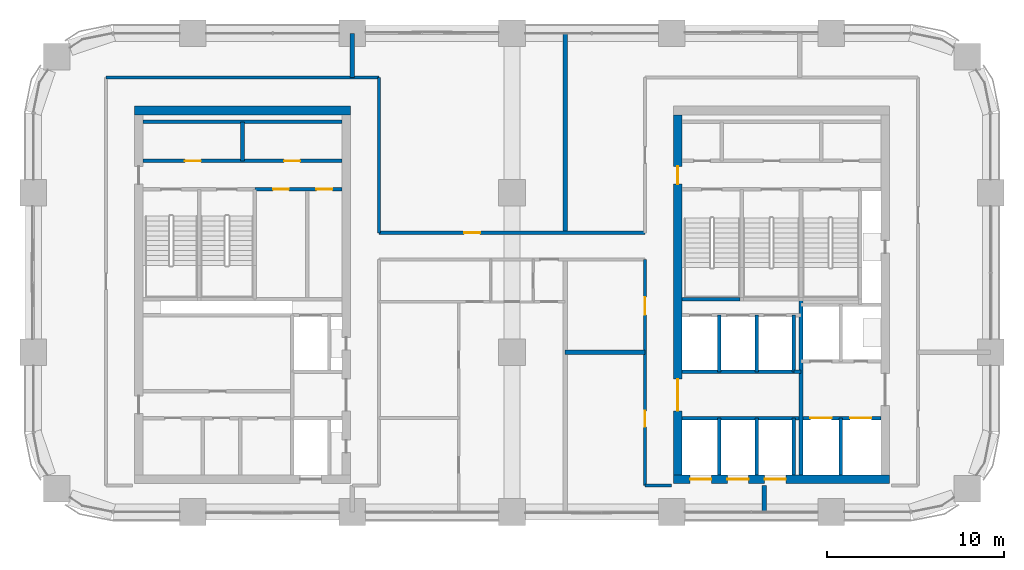
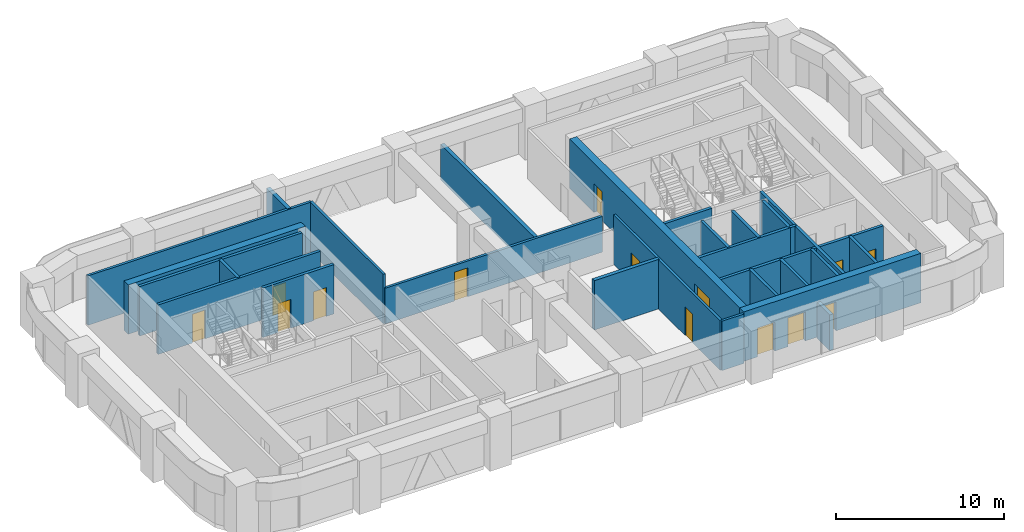
# One storey, part 9 of 18: 28 walls, 14 doors, 14 openings.
"""IFC4 building model written with IfcOpenShell, lengths in metres."""

from ifc_helpers import new_model, si_unit, direction, frame, frame_2d, origin, place, context, subcontext, project, spatial, rectangle, extrude, material, layer, layer_set, type_object, element, fill, save


model = new_model("IFC4")

# Units and contexts
model_context = context("Model", 3, precision=1e-05, world=origin(), true_north=direction((0.0, 1.0)))
body_context = subcontext(model_context, "Body", "Model", "MODEL_VIEW")
ifc_project = project(units=[si_unit("LENGTHUNIT", "METRE"), si_unit("AREAUNIT", "SQUARE_METRE"), si_unit("VOLUMEUNIT", "CUBIC_METRE"), si_unit("PLANEANGLEUNIT", "RADIAN"), si_unit("MASSUNIT", "GRAM", prefix="KILO")], contexts=[model_context])

# Site, building, storey
site_placement = place(None, origin())
site = spatial("IfcSite", under=ifc_project, at=site_placement, CompositionType="ELEMENT")
building_placement = place(site_placement, origin())
building = spatial("IfcBuilding", under=site, at=building_placement, Name="Tessera Arch", CompositionType="ELEMENT")
storey_placement = place(building_placement, frame((0.0, 0.0, 154.39990234375)))
storey = spatial("IfcBuildingStorey", under=building, at=storey_placement, Name="L36", CompositionType="ELEMENT", Elevation=154.39990234375)

# Walls
ifc_material_1 = material(Name="Gypsum board on steel stud", Category="steel")
ifc_layer_1 = layer(ifc_material_1, 0.125)
ifc_layer_set_1 = layer_set([ifc_layer_1], Name="Core partition 125 EI 60")
wall_type_1 = type_object("IfcWallType", Name="Core partition 125 EI 60", PredefinedType="PARTITIONING", material=ifc_layer_set_1)
wall_1_placement = place(storey_placement, frame((42.89990234375, 34.89990234375, 0.0), z_axis=(0.0, 0.0, 1.0), x_axis=(1.0, 0.0, 0.0)))
element("IfcWall", 1, at=wall_1_placement, inside=storey, type_object=wall_type_1, Name="L36 C1 partition wall 20", PredefinedType="PARTITIONING", context=body_context, shape_type="SweptSolid", body=[
    extrude(rectangle(XDim=0.400146484375, YDim=0.199951171875, at=frame_2d((0.2001953125, 0.0))), origin(), (0.0, 0.0, 1.0), 3.60009765625),
])
wall_2_placement = place(storey_placement, frame((11.800048828125, 46.800048828125, 0.0), z_axis=(0.0, 0.0, 1.0), x_axis=(0.0, 1.0, 0.0)))
element("IfcWall", 2, at=wall_2_placement, inside=storey, type_object=wall_type_1, Name="L36 C2 partition wall 5", PredefinedType="PARTITIONING", context=body_context, shape_type="SweptSolid", body=[
    extrude(rectangle(XDim=2.199951171875, YDim=0.199951171875, at=frame_2d((1.10009765625, 0.0))), origin(), (0.0, 0.0, 1.0), 3.60009765625),
])

# Wall, openings, doors
wall_3_placement = place(storey_placement, frame((12.5, 45.199951171875, 0.0), z_axis=(0.0, 0.0, 1.0), x_axis=(1.0, 0.0, 0.0)))
wall_3 = element("IfcWall", 3, at=wall_3_placement, inside=storey, type_object=wall_type_1, Name="L36 C2 partition wall 23", PredefinedType="PARTITIONING", context=body_context, shape_type="SweptSolid", body=[
    extrude(rectangle(XDim=4.89990234375, YDim=0.199951171875, at=frame_2d((2.449951171875, 0.0))), origin(), (0.0, 0.0, 1.0), 3.60009765625),
])
opening_1_placement = place(wall_3_placement, frame((1.02001953125, 0.0, 0.0)))
opening_1 = element("IfcOpeningElement", 4, at=opening_1_placement, cuts=wall_3, Name="Opening L36-C32", PredefinedType="OPENING", context=body_context, shape_type="SweptSolid", body=[
    extrude(rectangle(XDim=0.89990234375, YDim=2.10009765625, at=frame_2d((0.449951171875, 1.050048828125))), frame((0.0, 0.10986328125, 0.0), z_axis=(0.0, -1.0, 0.0), x_axis=(1.0, 0.0, 0.0)), (0.0, 0.0, 1.0), 0.219970703125),
])
opening_2_placement = place(wall_3_placement, frame((3.469970703125, 0.0, 0.0)))
opening_2 = element("IfcOpeningElement", 5, at=opening_2_placement, cuts=wall_3, Name="Opening L36-C33", PredefinedType="OPENING", context=body_context, shape_type="SweptSolid", body=[
    extrude(rectangle(XDim=0.89990234375, YDim=2.10009765625, at=frame_2d((0.449951171875, 1.050048828125))), frame((0.0, 0.10986328125, 0.0), z_axis=(0.0, -1.0, 0.0), x_axis=(1.0, 0.0, 0.0)), (0.0, 0.0, 1.0), 0.219970703125),
])
ifc_material_2 = material(Name="Steel door leaf", Category="steel")
door_type_1 = type_object("IfcDoorType", Name="Store door FD30S 900 x 2100", OperationType="SINGLE_SWING_LEFT", PredefinedType="DOOR", material=ifc_material_2)
door_1_placement = place(opening_1_placement, origin())
door_1 = element("IfcDoor", 6, at=door_1_placement, inside=storey, type_object=door_type_1, Name="L36 C2 door 12 C32 type D09", OperationType="SINGLE_SWING_LEFT", OverallHeight=2.10009765625, OverallWidth=0.89990234375, PredefinedType="DOOR", context=body_context, shape_type="SweptSolid", body=[
    extrude(rectangle(XDim=0.89990234375, YDim=2.10009765625, at=frame_2d((0.449951171875, 1.050048828125))), frame((0.0, 0.02490234375, 0.0), z_axis=(0.0, -1.0, 0.0), x_axis=(1.0, 0.0, 0.0)), (0.0, 0.0, 1.0), 0.050048828125),
])
fill(opening_1, door_1)
door_2_placement = place(opening_2_placement, origin())
door_2 = element("IfcDoor", 7, at=door_2_placement, inside=storey, type_object=door_type_1, Name="L36 C2 door 13 C33 type D09", OperationType="SINGLE_SWING_RIGHT", OverallHeight=2.10009765625, OverallWidth=0.89990234375, PredefinedType="DOOR", context=body_context, shape_type="SweptSolid", body=[
    extrude(rectangle(XDim=0.89990234375, YDim=2.10009765625, at=frame_2d((0.449951171875, 1.050048828125))), frame((0.0, 0.02490234375, 0.0), z_axis=(0.0, -1.0, 0.0), x_axis=(1.0, 0.0, 0.0)), (0.0, 0.0, 1.0), 0.050048828125),
])
fill(opening_2, door_2)

wall_4_placement = place(storey_placement, frame((6.199951171875, 46.800048828125, 0.0), z_axis=(0.0, 0.0, 1.0), x_axis=(1.0, 0.0, 0.0)))
wall_4 = element("IfcWall", 8, at=wall_4_placement, inside=storey, type_object=wall_type_1, Name="L36 C2 partition wall 25", PredefinedType="PARTITIONING", context=body_context, shape_type="SweptSolid", body=[
    extrude(rectangle(XDim=11.199951171875, YDim=0.199951171875, at=frame_2d((5.60009765625, 0.0))), origin(), (0.0, 0.0, 1.0), 3.60009765625),
])
opening_3_placement = place(wall_4_placement, frame((2.35009765625, 0.0, 0.0)))
opening_3 = element("IfcOpeningElement", 9, at=opening_3_placement, cuts=wall_4, Name="Opening L36-C30", PredefinedType="OPENING", context=body_context, shape_type="SweptSolid", body=[
    extrude(rectangle(XDim=0.89990234375, YDim=2.10009765625, at=frame_2d((0.449951171875, 1.050048828125))), frame((0.0, 0.10986328125, 0.0), z_axis=(0.0, -1.0, 0.0), x_axis=(1.0, 0.0, 0.0)), (0.0, 0.0, 1.0), 0.219970703125),
])
opening_4_placement = place(wall_4_placement, frame((7.949951171875, 0.0, 0.0)))
opening_4 = element("IfcOpeningElement", 10, at=opening_4_placement, cuts=wall_4, Name="Opening L36-C31", PredefinedType="OPENING", context=body_context, shape_type="SweptSolid", body=[
    extrude(rectangle(XDim=0.89990234375, YDim=2.10009765625, at=frame_2d((0.449951171875, 1.050048828125))), frame((0.0, 0.10986328125, 0.0), z_axis=(0.0, -1.0, 0.0), x_axis=(1.0, 0.0, 0.0)), (0.0, 0.0, 1.0), 0.219970703125),
])
door_3_placement = place(opening_3_placement, origin())
door_3 = element("IfcDoor", 11, at=door_3_placement, inside=storey, type_object=door_type_1, Name="L36 C2 door 10 C30 type D09", OperationType="SINGLE_SWING_LEFT", OverallHeight=2.10009765625, OverallWidth=0.89990234375, PredefinedType="DOOR", context=body_context, shape_type="SweptSolid", body=[
    extrude(rectangle(XDim=0.89990234375, YDim=2.10009765625, at=frame_2d((0.449951171875, 1.050048828125))), frame((0.0, 0.02490234375, 0.0), z_axis=(0.0, -1.0, 0.0), x_axis=(1.0, 0.0, 0.0)), (0.0, 0.0, 1.0), 0.050048828125),
])
fill(opening_3, door_3)
door_4_placement = place(opening_4_placement, origin())
door_4 = element("IfcDoor", 12, at=door_4_placement, inside=storey, type_object=door_type_1, Name="L36 C2 door 11 C31 type D09", OperationType="SINGLE_SWING_RIGHT", OverallHeight=2.10009765625, OverallWidth=0.89990234375, PredefinedType="DOOR", context=body_context, shape_type="SweptSolid", body=[
    extrude(rectangle(XDim=0.89990234375, YDim=2.10009765625, at=frame_2d((0.449951171875, 1.050048828125))), frame((0.0, 0.02490234375, 0.0), z_axis=(0.0, -1.0, 0.0), x_axis=(1.0, 0.0, 0.0)), (0.0, 0.0, 1.0), 0.050048828125),
])
fill(opening_4, door_4)

# Wall
wall_5_placement = place(storey_placement, frame((6.199951171875, 49.0, 0.0), z_axis=(0.0, 0.0, 1.0), x_axis=(1.0, 0.0, 0.0)))
element("IfcWall", 13, at=wall_5_placement, inside=storey, type_object=wall_type_1, Name="L36 C2 partition wall 26", PredefinedType="PARTITIONING", context=body_context, shape_type="SweptSolid", body=[
    extrude(rectangle(XDim=11.199951171875, YDim=0.199951171875, at=frame_2d((5.60009765625, 0.0))), origin(), (0.0, 0.0, 1.0), 3.60009765625),
])

# Wall, openings, doors
ifc_material_3 = material(Name="Concrete C60/75", Category="concrete")
ifc_layer_2 = layer(ifc_material_3, 0.5)
ifc_layer_set_2 = layer_set([ifc_layer_2], Name="Core shell wall 500 C60-75")
wall_type_2 = type_object("IfcWallType", Name="Core shell wall 500 C60-75", PredefinedType="SHEAR", material=ifc_layer_set_2)
wall_6_placement = place(storey_placement, frame((36.10009765625, 28.85009765625, 0.0), z_axis=(0.0, 0.0, 1.0), x_axis=(1.0, 0.0, 0.0)))
wall_6 = element("IfcWall", 14, at=wall_6_placement, inside=storey, type_object=wall_type_2, Name="L36 C1 core wall S", PredefinedType="SHEAR", context=body_context, shape_type="SweptSolid", body=[
    extrude(rectangle(XDim=12.199951171875, YDim=0.5, at=frame_2d((6.10009765625, 0.0))), origin(), (0.0, 0.0, 1.0), 3.60009765625),
])
opening_5_placement = place(wall_6_placement, frame((0.949951171875, 0.0, 0.0)))
opening_5 = element("IfcOpeningElement", 15, at=opening_5_placement, cuts=wall_6, Name="Opening L36-C01", PredefinedType="OPENING", context=body_context, shape_type="SweptSolid", body=[
    extrude(rectangle(XDim=1.199951171875, YDim=2.10009765625, at=frame_2d((0.60009765625, 1.050048828125))), frame((0.0, 0.260009765625, 0.0), z_axis=(0.0, -1.0, 0.0), x_axis=(1.0, 0.0, 0.0)), (0.0, 0.0, 1.0), 0.52001953125),
])
opening_6_placement = place(wall_6_placement, frame((3.050048828125, 0.0, 0.0)))
opening_6 = element("IfcOpeningElement", 16, at=opening_6_placement, cuts=wall_6, Name="Opening L36-C03", PredefinedType="OPENING", context=body_context, shape_type="SweptSolid", body=[
    extrude(rectangle(XDim=1.199951171875, YDim=2.10009765625, at=frame_2d((0.60009765625, 1.050048828125))), frame((0.0, 0.260009765625, 0.0), z_axis=(0.0, -1.0, 0.0), x_axis=(1.0, 0.0, 0.0)), (0.0, 0.0, 1.0), 0.52001953125),
])
opening_7_placement = place(wall_6_placement, frame((5.14990234375, 0.0, 0.0)))
opening_7 = element("IfcOpeningElement", 17, at=opening_7_placement, cuts=wall_6, Name="Opening L36-C05", PredefinedType="OPENING", context=body_context, shape_type="SweptSolid", body=[
    extrude(rectangle(XDim=1.199951171875, YDim=2.10009765625, at=frame_2d((0.60009765625, 1.050048828125))), frame((0.0, 0.260009765625, 0.0), z_axis=(0.0, -1.0, 0.0), x_axis=(1.0, 0.0, 0.0)), (0.0, 0.0, 1.0), 0.52001953125),
])
ifc_material_4 = material(Name="Stainless steel AISI 304", Category="steel")
door_type_2 = type_object("IfcDoorType", Name="Sliding landing door 1200 x 2100", OperationType="SLIDING_TO_LEFT", PredefinedType="DOOR", material=ifc_material_4)
door_5_placement = place(opening_5_placement, origin())
door_5 = element("IfcDoor", 18, at=door_5_placement, inside=storey, type_object=door_type_2, Name="L36 HR1 lift landing door C01 type LD", OperationType="SLIDING_TO_LEFT", OverallHeight=2.10009765625, OverallWidth=1.199951171875, PredefinedType="DOOR", context=body_context, shape_type="SweptSolid", body=[
    extrude(rectangle(XDim=1.199951171875, YDim=2.10009765625, at=frame_2d((0.60009765625, 1.050048828125))), frame((0.0, 0.02490234375, 0.0), z_axis=(0.0, -1.0, 0.0), x_axis=(1.0, 0.0, 0.0)), (0.0, 0.0, 1.0), 0.050048828125),
])
fill(opening_5, door_5)
door_6_placement = place(opening_6_placement, origin())
door_6 = element("IfcDoor", 19, at=door_6_placement, inside=storey, type_object=door_type_2, Name="L36 HR2 lift landing door C03 type LD", OperationType="SLIDING_TO_LEFT", OverallHeight=2.10009765625, OverallWidth=1.199951171875, PredefinedType="DOOR", context=body_context, shape_type="SweptSolid", body=[
    extrude(rectangle(XDim=1.199951171875, YDim=2.10009765625, at=frame_2d((0.60009765625, 1.050048828125))), frame((0.0, 0.02490234375, 0.0), z_axis=(0.0, -1.0, 0.0), x_axis=(1.0, 0.0, 0.0)), (0.0, 0.0, 1.0), 0.050048828125),
])
fill(opening_6, door_6)
door_7_placement = place(opening_7_placement, origin())
door_7 = element("IfcDoor", 20, at=door_7_placement, inside=storey, type_object=door_type_2, Name="L36 HR3 lift landing door C05 type LD", OperationType="SLIDING_TO_LEFT", OverallHeight=2.10009765625, OverallWidth=1.199951171875, PredefinedType="DOOR", context=body_context, shape_type="SweptSolid", body=[
    extrude(rectangle(XDim=1.199951171875, YDim=2.10009765625, at=frame_2d((0.60009765625, 1.050048828125))), frame((0.0, 0.02490234375, 0.0), z_axis=(0.0, -1.0, 0.0), x_axis=(1.0, 0.0, 0.0)), (0.0, 0.0, 1.0), 0.050048828125),
])
fill(opening_7, door_7)

wall_7_placement = place(storey_placement, frame((36.35009765625, 29.10009765625, 0.0), z_axis=(0.0, 0.0, 1.0), x_axis=(0.0, 1.0, 0.0)))
wall_7 = element("IfcWall", 21, at=wall_7_placement, inside=storey, type_object=wall_type_2, Name="L36 C1 core wall W", PredefinedType="SHEAR", context=body_context, shape_type="SweptSolid", body=[
    extrude(rectangle(XDim=20.2998046875, YDim=0.5, at=frame_2d((10.14990234375, 0.0))), origin(), (0.0, 0.0, 1.0), 3.60009765625),
])
opening_8_placement = place(wall_7_placement, frame((3.60009765625, 0.0, 0.0)))
opening_8 = element("IfcOpeningElement", 22, at=opening_8_placement, cuts=wall_7, Name="Opening L36-C10", PredefinedType="OPENING", context=body_context, shape_type="SweptSolid", body=[
    extrude(rectangle(XDim=1.800048828125, YDim=2.10009765625, at=frame_2d((0.89990234375, 1.050048828125))), frame((0.0, 0.260009765625, 0.0), z_axis=(0.0, -1.0, 0.0), x_axis=(1.0, 0.0, 0.0)), (0.0, 0.0, 1.0), 0.52001953125),
])
opening_9_placement = place(wall_7_placement, frame((16.39990234375, 0.0, 0.0)))
opening_9 = element("IfcOpeningElement", 23, at=opening_9_placement, cuts=wall_7, Name="Opening L36-C17", PredefinedType="OPENING", context=body_context, shape_type="SweptSolid", body=[
    extrude(rectangle(XDim=1.0, YDim=2.10009765625, at=frame_2d((0.5, 1.050048828125))), frame((0.0, 0.260009765625, 0.0), z_axis=(0.0, -1.0, 0.0), x_axis=(1.0, 0.0, 0.0)), (0.0, 0.0, 1.0), 0.52001953125),
])
ifc_material_5 = material(Name="Steel door leaf", Category="steel")
door_type_3 = type_object("IfcDoorType", Name="Corridor door FD60 1000 x 2100", OperationType="SINGLE_SWING_LEFT", PredefinedType="DOOR", material=ifc_material_5)
door_8_placement = place(opening_9_placement, origin())
door_8 = element("IfcDoor", 24, at=door_8_placement, inside=storey, type_object=door_type_3, Name="L36 C1 door 17 C17 type D12", OperationType="SINGLE_SWING_RIGHT", OverallHeight=2.10009765625, OverallWidth=1.0, PredefinedType="DOOR", context=body_context, shape_type="SweptSolid", body=[
    extrude(rectangle(XDim=1.0, YDim=2.10009765625, at=frame_2d((0.5, 1.050048828125))), frame((0.0, 0.02490234375, 0.0), z_axis=(0.0, -1.0, 0.0), x_axis=(1.0, 0.0, 0.0)), (0.0, 0.0, 1.0), 0.050048828125),
])
fill(opening_9, door_8)
ifc_material_6 = material(Name="Glazed steel door leaf", Category="steel")
door_type_4 = type_object("IfcDoorType", Name="Lobby double door FD30S 1800 x 2100", OperationType="DOUBLE_DOOR_SINGLE_SWING", PredefinedType="DOOR", material=ifc_material_6)
door_9_placement = place(opening_8_placement, origin())
door_9 = element("IfcDoor", 25, at=door_9_placement, inside=storey, type_object=door_type_4, Name="L36 C1 door 10 C10 type D06", OperationType="DOUBLE_DOOR_SINGLE_SWING", OverallHeight=2.10009765625, OverallWidth=1.800048828125, PredefinedType="DOOR", context=body_context, shape_type="SweptSolid", body=[
    extrude(rectangle(XDim=1.800048828125, YDim=2.10009765625, at=frame_2d((0.89990234375, 1.050048828125))), frame((0.0, 0.02490234375, 0.0), z_axis=(0.0, -1.0, 0.0), x_axis=(1.0, 0.0, 0.0)), (0.0, 0.0, 1.0), 0.050048828125),
])
fill(opening_8, door_9)

# Walls
wall_8_placement = place(storey_placement, frame((5.699951171875, 49.64990234375, 0.0), z_axis=(0.0, 0.0, 1.0), x_axis=(1.0, 0.0, 0.0)))
element("IfcWall", 26, at=wall_8_placement, inside=storey, type_object=wall_type_2, Name="L36 C2 core wall N", PredefinedType="SHEAR", context=body_context, shape_type="SweptSolid", body=[
    extrude(rectangle(XDim=12.199951171875, YDim=0.5, at=frame_2d((6.10009765625, 0.0))), origin(), (0.0, 0.0, 1.0), 3.60009765625),
])
ifc_material_7 = material(Name="Gypsum board on deep steel stud with mineral wool", Category="steel")
ifc_layer_3 = layer(ifc_material_7, 0.175048828125)
ifc_layer_set_3 = layer_set([ifc_layer_3], Name="Corridor wall 175 EI 60")
wall_type_3 = type_object("IfcWallType", Name="Corridor wall 175 EI 60", PredefinedType="PARTITIONING", material=ifc_layer_set_3)
wall_9_placement = place(storey_placement, frame((34.5, 28.5, 0.0), z_axis=(0.0, 0.0, 1.0), x_axis=(1.0, 0.0, 0.0)))
element("IfcWall", 27, at=wall_9_placement, inside=storey, type_object=wall_type_3, Name="L36 partition 3", PredefinedType="PARTITIONING", context=body_context, shape_type="SweptSolid", body=[
    extrude(rectangle(XDim=1.5, YDim=0.175048828125, at=frame_2d((0.75, 0.0))), origin(), (0.0, 0.0, 1.0), 3.60009765625),
])

# Wall, opening, door
wall_10_placement = place(storey_placement, frame((19.5, 42.75, 0.0), z_axis=(0.0, 0.0, 1.0), x_axis=(1.0, 0.0, 0.0)))
wall_10 = element("IfcWall", 28, at=wall_10_placement, inside=storey, type_object=wall_type_3, Name="L36 partition 6", PredefinedType="PARTITIONING", context=body_context, shape_type="SweptSolid", body=[
    extrude(rectangle(XDim=15.0, YDim=0.175048828125, at=frame_2d((7.5, 0.0))), origin(), (0.0, 0.0, 1.0), 2.60009765625),
])
opening_10_placement = place(wall_10_placement, frame((4.800048828125, 0.0, 0.0)))
opening_10 = element("IfcOpeningElement", 29, at=opening_10_placement, cuts=wall_10, Name="Opening L36-D013", PredefinedType="OPENING", context=body_context, shape_type="SweptSolid", body=[
    extrude(rectangle(XDim=0.89990234375, YDim=2.10009765625, at=frame_2d((0.449951171875, 1.050048828125))), frame((0.0, 0.097412109375, 0.0), z_axis=(0.0, -1.0, 0.0), x_axis=(1.0, 0.0, 0.0)), (0.0, 0.0, 1.0), 0.195068359375),
])
ifc_material_8 = material(Name="Timber door leaf", Category="wood")
door_type_5 = type_object("IfcDoorType", Name="Room door 900 x 2100", OperationType="SINGLE_SWING_LEFT", PredefinedType="DOOR", material=ifc_material_8)
door_10_placement = place(opening_10_placement, origin())
door_10 = element("IfcDoor", 30, at=door_10_placement, inside=storey, type_object=door_type_5, Name="L36 door D013 type D01", OperationType="SINGLE_SWING_LEFT", OverallHeight=2.10009765625, OverallWidth=0.89990234375, PredefinedType="DOOR", context=body_context, shape_type="SweptSolid", body=[
    extrude(rectangle(XDim=0.89990234375, YDim=2.10009765625, at=frame_2d((0.449951171875, 1.050048828125))), frame((0.0, 0.02490234375, 0.0), z_axis=(0.0, -1.0, 0.0), x_axis=(1.0, 0.0, 0.0)), (0.0, 0.0, 1.0), 0.050048828125),
])
fill(opening_10, door_10)

# Walls
wall_11_placement = place(storey_placement, frame((4.10009765625, 51.5, 0.0), z_axis=(0.0, 0.0, 1.0), x_axis=(1.0, 0.0, 0.0)))
element("IfcWall", 31, at=wall_11_placement, inside=storey, type_object=wall_type_3, Name="L36 partition 7", PredefinedType="PARTITIONING", context=body_context, shape_type="SweptSolid", body=[
    extrude(rectangle(XDim=15.39990234375, YDim=0.175048828125, at=frame_2d((7.699951171875, 0.0))), origin(), (0.0, 0.0, 1.0), 3.60009765625),
])
wall_12_placement = place(storey_placement, frame((19.5, 42.75, 0.0), z_axis=(0.0, 0.0, 1.0), x_axis=(0.0, 1.0, 0.0)))
element("IfcWall", 32, at=wall_12_placement, inside=storey, type_object=wall_type_3, Name="L36 partition 11", PredefinedType="PARTITIONING", context=body_context, shape_type="SweptSolid", body=[
    extrude(rectangle(XDim=8.75, YDim=0.175048828125, at=frame_2d((4.375, 0.0))), origin(), (0.0, 0.0, 1.0), 3.60009765625),
])

# Wall, openings, doors
wall_13_placement = place(storey_placement, frame((34.5, 28.5, 0.0), z_axis=(0.0, 0.0, 1.0), x_axis=(0.0, 1.0, 0.0)))
wall_13 = element("IfcWall", 33, at=wall_13_placement, inside=storey, type_object=wall_type_3, Name="L36 partition 12", PredefinedType="PARTITIONING", context=body_context, shape_type="SweptSolid", body=[
    extrude(rectangle(XDim=12.75, YDim=0.175048828125, at=frame_2d((6.375, 0.0))), origin(), (0.0, 0.0, 1.0), 3.60009765625),
])
opening_11_placement = place(wall_13_placement, frame((3.300048828125, 0.0, 0.0)))
opening_11 = element("IfcOpeningElement", 34, at=opening_11_placement, cuts=wall_13, Name="Opening L36-D001", PredefinedType="OPENING", context=body_context, shape_type="SweptSolid", body=[
    extrude(rectangle(XDim=0.89990234375, YDim=2.10009765625, at=frame_2d((0.449951171875, 1.050048828125))), frame((0.0, 0.097412109375, 0.0), z_axis=(0.0, -1.0, 0.0), x_axis=(1.0, 0.0, 0.0)), (0.0, 0.0, 1.0), 0.195068359375),
])
opening_12_placement = place(wall_13_placement, frame((9.625, 0.0, 0.0)))
opening_12 = element("IfcOpeningElement", 35, at=opening_12_placement, cuts=wall_13, Name="Opening L36-D010", PredefinedType="OPENING", context=body_context, shape_type="SweptSolid", body=[
    extrude(rectangle(XDim=1.0, YDim=2.10009765625, at=frame_2d((0.5, 1.050048828125))), frame((0.0, 0.097412109375, 0.0), z_axis=(0.0, -1.0, 0.0), x_axis=(1.0, 0.0, 0.0)), (0.0, 0.0, 1.0), 0.195068359375),
])
ifc_material_9 = material(Name="Fire-rated door leaf")
door_type_6 = type_object("IfcDoorType", Name="Entrance door FD30S 1000 x 2100", OperationType="SINGLE_SWING_LEFT", PredefinedType="DOOR", material=ifc_material_9)
door_11_placement = place(opening_12_placement, origin())
door_11 = element("IfcDoor", 36, at=door_11_placement, inside=storey, type_object=door_type_6, Name="L36 door D010 type D03", OperationType="SINGLE_SWING_RIGHT", OverallHeight=2.10009765625, OverallWidth=1.0, PredefinedType="DOOR", context=body_context, shape_type="SweptSolid", body=[
    extrude(rectangle(XDim=1.0, YDim=2.10009765625, at=frame_2d((0.5, 1.050048828125))), frame((0.0, 0.02490234375, 0.0), z_axis=(0.0, -1.0, 0.0), x_axis=(1.0, 0.0, 0.0)), (0.0, 0.0, 1.0), 0.050048828125),
])
fill(opening_12, door_11)
door_12_placement = place(opening_11_placement, origin())
door_12 = element("IfcDoor", 37, at=door_12_placement, inside=storey, type_object=door_type_5, Name="L36 door D001 type D01", OperationType="SINGLE_SWING_LEFT", OverallHeight=2.10009765625, OverallWidth=0.89990234375, PredefinedType="DOOR", context=body_context, shape_type="SweptSolid", body=[
    extrude(rectangle(XDim=0.89990234375, YDim=2.10009765625, at=frame_2d((0.449951171875, 1.050048828125))), frame((0.0, 0.02490234375, 0.0), z_axis=(0.0, -1.0, 0.0), x_axis=(1.0, 0.0, 0.0)), (0.0, 0.0, 1.0), 0.050048828125),
])
fill(opening_11, door_12)

# Walls
ifc_material_10 = material(Name="Double gypsum board on twin steel stud with acoustic mineral wool", Category="steel")
ifc_layer_4 = layer(ifc_material_10, 0.25)
ifc_layer_set_4 = layer_set([ifc_layer_4], Name="Party wall 250 EI 60")
wall_type_4 = type_object("IfcWallType", Name="Party wall 250 EI 60", PredefinedType="PARTITIONING", material=ifc_layer_set_4)
wall_14_placement = place(storey_placement, frame((30.0, 36.0, 0.0), z_axis=(0.0, 0.0, 1.0), x_axis=(1.0, 0.0, 0.0)))
element("IfcWall", 38, at=wall_14_placement, inside=storey, type_object=wall_type_4, Name="L36 partition 19", PredefinedType="PARTITIONING", context=body_context, shape_type="SweptSolid", body=[
    extrude(rectangle(XDim=4.5, YDim=0.25, at=frame_2d((2.25, 0.0))), origin(), (0.0, 0.0, 1.0), 3.60009765625),
])
wall_15_placement = place(storey_placement, frame((18.0, 51.5, 0.0), z_axis=(0.0, 0.0, 1.0), x_axis=(0.0, 1.0, 0.0)))
element("IfcWall", 39, at=wall_15_placement, inside=storey, type_object=wall_type_4, Name="L36 partition 22", PredefinedType="PARTITIONING", context=body_context, shape_type="SweptSolid", body=[
    extrude(rectangle(XDim=2.5, YDim=0.25, at=frame_2d((1.25, 0.0))), origin(), (0.0, 0.0, 1.0), 3.60009765625),
])
wall_16_placement = place(storey_placement, frame((30.0, 42.75, 0.0), z_axis=(0.0, 0.0, 1.0), x_axis=(0.0, 1.0, 0.0)))
element("IfcWall", 40, at=wall_16_placement, inside=storey, type_object=wall_type_4, Name="L36 partition 24", PredefinedType="PARTITIONING", context=body_context, shape_type="SweptSolid", body=[
    extrude(rectangle(XDim=11.25, YDim=0.25, at=frame_2d((5.625, 0.0))), origin(), (0.0, 0.0, 1.0), 2.60009765625),
])
wall_17_placement = place(storey_placement, frame((41.216064453125, 27.0, 0.0), z_axis=(0.0, 0.0, 1.0), x_axis=(0.0, 1.0, 0.0)))
element("IfcWall", 41, at=wall_17_placement, inside=storey, type_object=wall_type_4, Name="L36 partition 25", PredefinedType="PARTITIONING", context=body_context, shape_type="SweptSolid", body=[
    extrude(rectangle(XDim=1.5, YDim=0.25, at=frame_2d((0.75, 0.0))), origin(), (0.0, 0.0, 1.0), 2.60009765625),
])
ifc_material_11 = material(Name="Concrete C40/50", Category="concrete")
ifc_layer_5 = layer(ifc_material_11, 0.199951171875)
ifc_layer_set_5 = layer_set([ifc_layer_5], Name="Shaft wall 200 EI 120")
wall_type_5 = type_object("IfcWallType", Name="Shaft wall 200 EI 120", PredefinedType="SOLIDWALL", material=ifc_layer_set_5)
wall_18_placement = place(storey_placement, frame((38.699951171875, 29.10009765625, 0.0), z_axis=(0.0, 0.0, 1.0), x_axis=(0.0, 1.0, 0.0)))
element("IfcWall", 42, at=wall_18_placement, inside=storey, type_object=wall_type_5, Name="L36 C1 shaft wall 1", PredefinedType="SOLIDWALL", context=body_context, shape_type="SweptSolid", body=[
    extrude(rectangle(XDim=3.199951171875, YDim=0.199951171875, at=frame_2d((1.60009765625, 0.0))), origin(), (0.0, 0.0, 1.0), 3.60009765625),
])
wall_19_placement = place(storey_placement, frame((38.699951171875, 34.89990234375, 0.0), z_axis=(0.0, 0.0, 1.0), x_axis=(0.0, 1.0, 0.0)))
element("IfcWall", 43, at=wall_19_placement, inside=storey, type_object=wall_type_5, Name="L36 C1 shaft wall 2", PredefinedType="SOLIDWALL", context=body_context, shape_type="SweptSolid", body=[
    extrude(rectangle(XDim=3.2001953125, YDim=0.199951171875, at=frame_2d((1.60009765625, 0.0))), origin(), (0.0, 0.0, 1.0), 3.60009765625),
])
wall_20_placement = place(storey_placement, frame((40.800048828125, 29.10009765625, 0.0), z_axis=(0.0, 0.0, 1.0), x_axis=(0.0, 1.0, 0.0)))
element("IfcWall", 44, at=wall_20_placement, inside=storey, type_object=wall_type_5, Name="L36 C1 shaft wall 6", PredefinedType="SOLIDWALL", context=body_context, shape_type="SweptSolid", body=[
    extrude(rectangle(XDim=3.199951171875, YDim=0.199951171875, at=frame_2d((1.60009765625, 0.0))), origin(), (0.0, 0.0, 1.0), 3.60009765625),
])
wall_21_placement = place(storey_placement, frame((40.800048828125, 34.89990234375, 0.0), z_axis=(0.0, 0.0, 1.0), x_axis=(0.0, 1.0, 0.0)))
element("IfcWall", 45, at=wall_21_placement, inside=storey, type_object=wall_type_5, Name="L36 C1 shaft wall 7", PredefinedType="SOLIDWALL", context=body_context, shape_type="SweptSolid", body=[
    extrude(rectangle(XDim=3.2001953125, YDim=0.199951171875, at=frame_2d((1.60009765625, 0.0))), origin(), (0.0, 0.0, 1.0), 3.60009765625),
])
wall_22_placement = place(storey_placement, frame((42.89990234375, 29.10009765625, 0.0), z_axis=(0.0, 0.0, 1.0), x_axis=(0.0, 1.0, 0.0)))
element("IfcWall", 46, at=wall_22_placement, inside=storey, type_object=wall_type_5, Name="L36 C1 shaft wall 8", PredefinedType="SOLIDWALL", context=body_context, shape_type="SweptSolid", body=[
    extrude(rectangle(XDim=3.199951171875, YDim=0.199951171875, at=frame_2d((1.60009765625, 0.0))), origin(), (0.0, 0.0, 1.0), 3.60009765625),
])
wall_23_placement = place(storey_placement, frame((42.89990234375, 34.89990234375, 0.0), z_axis=(0.0, 0.0, 1.0), x_axis=(0.0, 1.0, 0.0)))
element("IfcWall", 47, at=wall_23_placement, inside=storey, type_object=wall_type_5, Name="L36 C1 shaft wall 9", PredefinedType="SOLIDWALL", context=body_context, shape_type="SweptSolid", body=[
    extrude(rectangle(XDim=3.2001953125, YDim=0.199951171875, at=frame_2d((1.60009765625, 0.0))), origin(), (0.0, 0.0, 1.0), 3.60009765625),
])
wall_24_placement = place(storey_placement, frame((43.300048828125, 29.10009765625, 0.0), z_axis=(0.0, 0.0, 1.0), x_axis=(0.0, 1.0, 0.0)))
element("IfcWall", 48, at=wall_24_placement, inside=storey, type_object=wall_type_5, Name="L36 C1 shaft wall 10", PredefinedType="SOLIDWALL", context=body_context, shape_type="SweptSolid", body=[
    extrude(rectangle(XDim=9.89990234375, YDim=0.199951171875, at=frame_2d((4.949951171875, 0.0))), origin(), (0.0, 0.0, 1.0), 3.60009765625),
])
wall_25_placement = place(storey_placement, frame((45.550048828125, 29.10009765625, 0.0), z_axis=(0.0, 0.0, 1.0), x_axis=(0.0, 1.0, 0.0)))
element("IfcWall", 49, at=wall_25_placement, inside=storey, type_object=wall_type_5, Name="L36 C1 shaft wall 14", PredefinedType="SOLIDWALL", context=body_context, shape_type="SweptSolid", body=[
    extrude(rectangle(XDim=3.199951171875, YDim=0.199951171875, at=frame_2d((1.60009765625, 0.0))), origin(), (0.0, 0.0, 1.0), 3.60009765625),
])

# Wall, openings, doors
wall_26_placement = place(storey_placement, frame((36.60009765625, 32.300048828125, 0.0), z_axis=(0.0, 0.0, 1.0), x_axis=(1.0, 0.0, 0.0)))
wall_26 = element("IfcWall", 50, at=wall_26_placement, inside=storey, type_object=wall_type_5, Name="L36 C1 shaft wall 19", PredefinedType="SOLIDWALL", context=body_context, shape_type="SweptSolid", body=[
    extrude(rectangle(XDim=11.199951171875, YDim=0.199951171875, at=frame_2d((5.60009765625, 0.0))), origin(), (0.0, 0.0, 1.0), 3.60009765625),
])
opening_13_placement = place(wall_26_placement, frame((7.22509765625, 0.0, 0.0)))
opening_13 = element("IfcOpeningElement", 51, at=opening_13_placement, cuts=wall_26, Name="Opening L36-C07", PredefinedType="OPENING", context=body_context, shape_type="SweptSolid", body=[
    extrude(rectangle(XDim=1.199951171875, YDim=2.10009765625, at=frame_2d((0.60009765625, 1.050048828125))), frame((0.0, 0.10986328125, 0.0), z_axis=(0.0, -1.0, 0.0), x_axis=(1.0, 0.0, 0.0)), (0.0, 0.0, 1.0), 0.219970703125),
])
opening_14_placement = place(wall_26_placement, frame((9.47509765625, 0.0, 0.0)))
opening_14 = element("IfcOpeningElement", 52, at=opening_14_placement, cuts=wall_26, Name="Opening L36-C08", PredefinedType="OPENING", context=body_context, shape_type="SweptSolid", body=[
    extrude(rectangle(XDim=1.199951171875, YDim=2.10009765625, at=frame_2d((0.60009765625, 1.050048828125))), frame((0.0, 0.10986328125, 0.0), z_axis=(0.0, -1.0, 0.0), x_axis=(1.0, 0.0, 0.0)), (0.0, 0.0, 1.0), 0.219970703125),
])
door_13_placement = place(opening_13_placement, origin())
door_13 = element("IfcDoor", 53, at=door_13_placement, inside=storey, type_object=door_type_2, Name="L36 FF1 lift landing door C07 type LD", OperationType="SLIDING_TO_LEFT", OverallHeight=2.10009765625, OverallWidth=1.199951171875, PredefinedType="DOOR", context=body_context, shape_type="SweptSolid", body=[
    extrude(rectangle(XDim=1.199951171875, YDim=2.10009765625, at=frame_2d((0.60009765625, 1.050048828125))), frame((0.0, 0.02490234375, 0.0), z_axis=(0.0, -1.0, 0.0), x_axis=(1.0, 0.0, 0.0)), (0.0, 0.0, 1.0), 0.050048828125),
])
fill(opening_13, door_13)
door_14_placement = place(opening_14_placement, origin())
door_14 = element("IfcDoor", 54, at=door_14_placement, inside=storey, type_object=door_type_2, Name="L36 FF2 lift landing door C08 type LD", OperationType="SLIDING_TO_LEFT", OverallHeight=2.10009765625, OverallWidth=1.199951171875, PredefinedType="DOOR", context=body_context, shape_type="SweptSolid", body=[
    extrude(rectangle(XDim=1.199951171875, YDim=2.10009765625, at=frame_2d((0.60009765625, 1.050048828125))), frame((0.0, 0.02490234375, 0.0), z_axis=(0.0, -1.0, 0.0), x_axis=(1.0, 0.0, 0.0)), (0.0, 0.0, 1.0), 0.050048828125),
])
fill(opening_14, door_14)

# Walls
wall_27_placement = place(storey_placement, frame((36.60009765625, 34.89990234375, 0.0), z_axis=(0.0, 0.0, 1.0), x_axis=(1.0, 0.0, 0.0)))
element("IfcWall", 55, at=wall_27_placement, inside=storey, type_object=wall_type_5, Name="L36 C1 shaft wall 21", PredefinedType="SOLIDWALL", context=body_context, shape_type="SweptSolid", body=[
    extrude(rectangle(XDim=6.2998046875, YDim=0.199951171875, at=frame_2d((3.14990234375, 0.0))), origin(), (0.0, 0.0, 1.0), 3.60009765625),
])
ifc_material_12 = material(Name="Concrete C40/50", Category="concrete")
ifc_layer_6 = layer(ifc_material_12, 0.199951171875)
ifc_layer_set_6 = layer_set([ifc_layer_6], Name="Stair well wall 200 REI 180")
wall_type_6 = type_object("IfcWallType", Name="Stair well wall 200 REI 180", PredefinedType="SOLIDWALL", material=ifc_layer_set_6)
wall_28_placement = place(storey_placement, frame((36.60009765625, 39.0, 0.0), z_axis=(0.0, 0.0, 1.0), x_axis=(1.0, 0.0, 0.0)))
element("IfcWall", 56, at=wall_28_placement, inside=storey, type_object=wall_type_6, Name="L36 C1 shaft wall 25", PredefinedType="SOLIDWALL", context=body_context, shape_type="SweptSolid", body=[
    extrude(rectangle(XDim=3.25, YDim=0.199951171875, at=frame_2d((1.625, 0.0))), origin(), (0.0, 0.0, 1.0), 3.60009765625),
])

save(model, "model.ifc")
